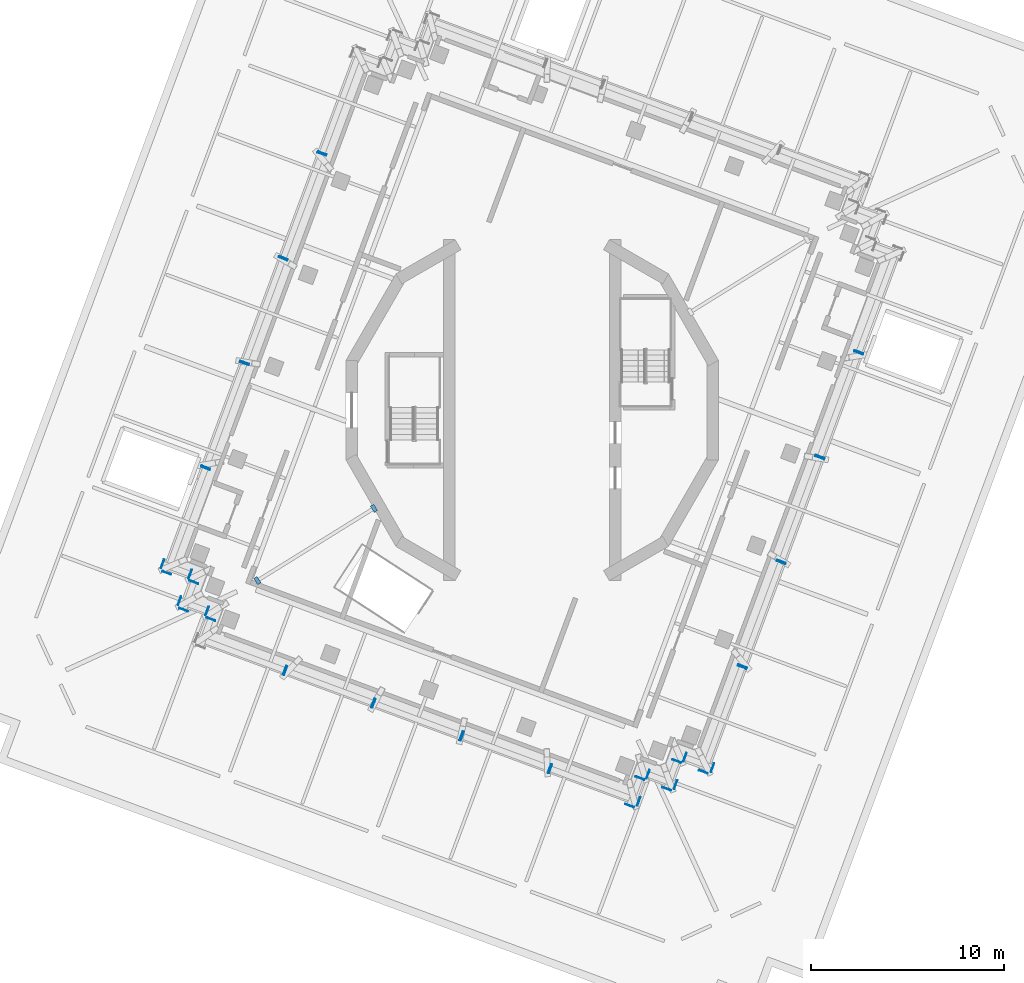
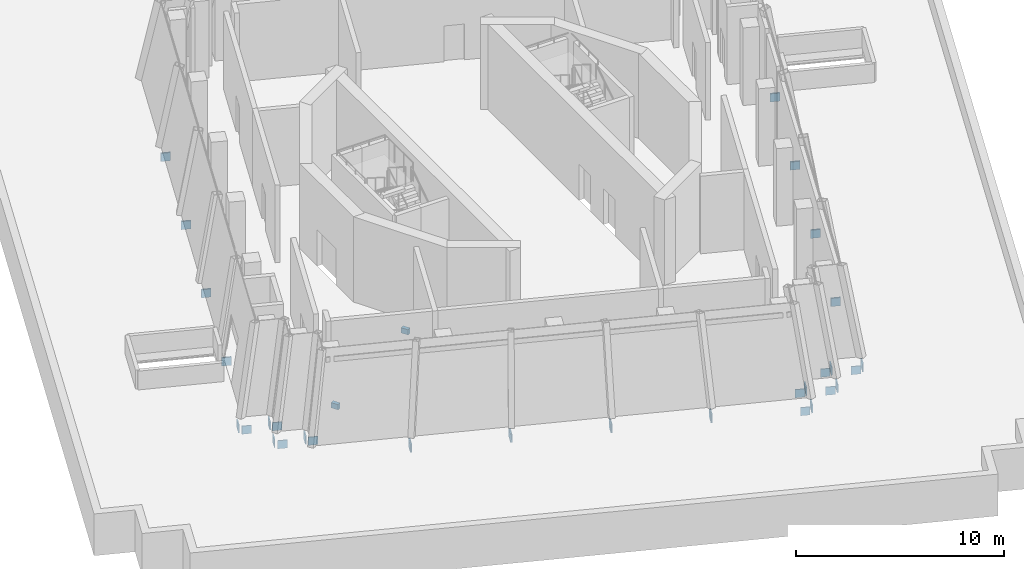
# One storey, part 8 of 12: 44 discrete accessories, 23 elements without a shape of their own.
"""IFC4 building model written with IfcOpenShell, lengths in metres."""

from ifc_helpers import new_model, si_unit, direction, frame, origin, place, context, subcontext, project, spatial, polyline, outline, extrude, material, layer, layer_set, type_object, element, aggregate, save


model = new_model("IFC4")

# Units and contexts
model_context = context("Model", 3, precision=1e-05, world=origin(), true_north=direction((0.0, 1.0)))
body_context = subcontext(model_context, "Body", "Model", "MODEL_VIEW")
ifc_project = project(units=[si_unit("LENGTHUNIT", "METRE"), si_unit("AREAUNIT", "SQUARE_METRE"), si_unit("VOLUMEUNIT", "CUBIC_METRE"), si_unit("PLANEANGLEUNIT", "RADIAN"), si_unit("MASSUNIT", "GRAM", prefix="KILO")], contexts=[model_context])

# Site, building, storey
site_placement = place(None, origin())
site = spatial("IfcSite", under=ifc_project, at=site_placement, CompositionType="ELEMENT")
building_placement = place(site_placement, origin())
building = spatial("IfcBuilding", under=site, at=building_placement, Name="Cantera Rosa Tower", CompositionType="ELEMENT")
storey_placement = place(building_placement, frame((0.0, 0.0, 345.699951171875)))
storey = spatial("IfcBuildingStorey", under=building, at=storey_placement, Name="L78", CompositionType="ELEMENT", Elevation=345.699951171875)

# Curtain wall, discrete accessory
ifc_material_1 = material(Name="Aluminium frame with clear glass", Category="aluminium")
curtain_wall_type = type_object("IfcCurtainWallType", Name="CW4 CROWN GLAZING", PredefinedType="NOTDEFINED", material=ifc_material_1)
curtain_wall_1_placement = place(storey_placement, origin())
curtain_wall_1 = element("IfcCurtainWall", 1, at=curtain_wall_1_placement, inside=storey, type_object=curtain_wall_type, Name="CW4 L78-10", PredefinedType="NOTDEFINED")
ifc_material_2 = material(Name="Steel S355J2 (EN 10025-2)", Category="steel")
ifc_layer_1 = layer(ifc_material_2, 0.030029296875)
ifc_layer_set_1 = layer_set([ifc_layer_1], Name="NODE PLATE 30")
discrete_accessory_type_1 = type_object("IfcDiscreteAccessoryType", Name="NODE PLATE 30", PredefinedType="ANCHORPLATE", material=ifc_layer_set_1)
discrete_accessory_1_placement = place(storey_placement, frame((-10.694091796875, 13.191650390625, -0.43505859375), z_axis=(-0.347330918501, -0.937742626232, 0.0), x_axis=(-0.937742626232, 0.347330918501, 0.0)))
discrete_accessory_1 = element("IfcDiscreteAccessory", 2, at=discrete_accessory_1_placement, type_object=discrete_accessory_type_1, Name="END PLATE TE1", PredefinedType="ANCHORPLATE", context=body_context, shape_type="SweptSolid", body=[
    extrude(outline(polyline([(0.0, 0.0), (0.4800840869406107, 0.0), (0.4800840869406107, 0.47998046875), (0.0, 0.47998046875), (0.0, 0.0)])), origin(), (0.0, 0.0, -1.0), 0.0400390625),
])
aggregate(curtain_wall_1, [discrete_accessory_1])

# Curtain wall, discrete accessories
curtain_wall_2_placement = place(storey_placement, origin())
curtain_wall_2 = element("IfcCurtainWall", 3, at=curtain_wall_2_placement, inside=storey, type_object=curtain_wall_type, Name="CW4 L78-11", PredefinedType="NOTDEFINED")
discrete_accessory_2_placement = place(storey_placement, frame((-11.116455078125, 13.433349609375, -0.43505859375), z_axis=(0.347330918501, 0.937742626232, 0.0), x_axis=(0.937742626232, -0.347330918501, 0.0)))
discrete_accessory_2 = element("IfcDiscreteAccessory", 4, at=discrete_accessory_2_placement, type_object=discrete_accessory_type_1, Name="END PLATE TE0", PredefinedType="ANCHORPLATE", context=body_context, shape_type="SweptSolid", body=[
    extrude(outline(polyline([(0.0, 0.0), (0.4800840869406107, 0.0), (0.4800840869406107, 0.47998046875), (0.0, 0.47998046875), (0.0, 0.0)])), origin(), (0.0, 0.0, -1.0), 0.0400390625),
])
discrete_accessory_3_placement = place(storey_placement, frame((-12.7080078125, 7.757080078125, -0.43505859375), z_axis=(-0.347496626235, -0.937681233018, 0.0), x_axis=(-0.937681233018, 0.347496626235, 0.0)))
discrete_accessory_3 = element("IfcDiscreteAccessory", 5, at=discrete_accessory_3_placement, type_object=discrete_accessory_type_1, Name="END PLATE TE1", PredefinedType="ANCHORPLATE", context=body_context, shape_type="SweptSolid", body=[
    extrude(outline(polyline([(0.0, 0.0), (0.4798551533622547, 0.0), (0.4798551533622547, 0.47998046875), (0.0, 0.47998046875), (0.0, 0.0)])), origin(), (0.0, 0.0, -1.0), 0.0400390625),
])
aggregate(curtain_wall_2, [discrete_accessory_2, discrete_accessory_3])

curtain_wall_3_placement = place(storey_placement, origin())
curtain_wall_3 = element("IfcCurtainWall", 6, at=curtain_wall_3_placement, inside=storey, type_object=curtain_wall_type, Name="CW4 L78-12", PredefinedType="NOTDEFINED")
discrete_accessory_4_placement = place(storey_placement, frame((-13.13037109375, 7.998779296875, -0.43505859375), z_axis=(0.347330918501, 0.937742626232, 0.0), x_axis=(0.937742626232, -0.347330918501, 0.0)))
discrete_accessory_4 = element("IfcDiscreteAccessory", 7, at=discrete_accessory_4_placement, type_object=discrete_accessory_type_1, Name="END PLATE TE0", PredefinedType="ANCHORPLATE", context=body_context, shape_type="SweptSolid", body=[
    extrude(outline(polyline([(0.0, 0.0), (0.4800840869406107, 0.0), (0.4800840869406107, 0.47998046875), (0.0, 0.47998046875), (0.0, 0.0)])), origin(), (0.0, 0.0, -1.0), 0.0400390625),
])
discrete_accessory_5_placement = place(storey_placement, frame((-14.721923828125, 2.322509765625, -0.43505859375), z_axis=(-0.347496626235, -0.937681233018, 0.0), x_axis=(-0.937681233018, 0.347496626235, 0.0)))
discrete_accessory_5 = element("IfcDiscreteAccessory", 8, at=discrete_accessory_5_placement, type_object=discrete_accessory_type_1, Name="END PLATE TE1", PredefinedType="ANCHORPLATE", context=body_context, shape_type="SweptSolid", body=[
    extrude(outline(polyline([(0.0, 0.0), (0.4798551533622547, 0.0), (0.4798551533622547, 0.47998046875), (0.0, 0.47998046875), (0.0, 0.0)])), origin(), (0.0, 0.0, -1.0), 0.0400390625),
])
aggregate(curtain_wall_3, [discrete_accessory_4, discrete_accessory_5])

curtain_wall_4_placement = place(storey_placement, origin())
curtain_wall_4 = element("IfcCurtainWall", 9, at=curtain_wall_4_placement, inside=storey, type_object=curtain_wall_type, Name="CW4 L78-13", PredefinedType="NOTDEFINED")
discrete_accessory_6_placement = place(storey_placement, frame((-15.144287109375, 2.564208984375, -0.43505859375), z_axis=(0.347330918501, 0.937742626232, 0.0), x_axis=(0.937742626232, -0.347330918501, 0.0)))
discrete_accessory_6 = element("IfcDiscreteAccessory", 10, at=discrete_accessory_6_placement, type_object=discrete_accessory_type_1, Name="END PLATE TE0", PredefinedType="ANCHORPLATE", context=body_context, shape_type="SweptSolid", body=[
    extrude(outline(polyline([(0.0, 0.0), (0.4800840869406107, 0.0), (0.4800840869406107, 0.47998046875), (0.0, 0.47998046875), (0.0, 0.0)])), origin(), (0.0, 0.0, -1.0), 0.0400390625),
])
discrete_accessory_7_placement = place(storey_placement, frame((-16.73583984375, -3.112060546875, -0.43505859375), z_axis=(-0.347496626235, -0.937681233018, 0.0), x_axis=(-0.937681233018, 0.347496626235, 0.0)))
discrete_accessory_7 = element("IfcDiscreteAccessory", 11, at=discrete_accessory_7_placement, type_object=discrete_accessory_type_1, Name="END PLATE TE1", PredefinedType="ANCHORPLATE", context=body_context, shape_type="SweptSolid", body=[
    extrude(outline(polyline([(0.0, 0.0), (0.4798551533622547, 0.0), (0.4798551533622547, 0.47998046875), (0.0, 0.47998046875), (0.0, 0.0)])), origin(), (0.0, 0.0, -1.0), 0.0400390625),
])
aggregate(curtain_wall_4, [discrete_accessory_6, discrete_accessory_7])

curtain_wall_5_placement = place(storey_placement, origin())
curtain_wall_5 = element("IfcCurtainWall", 12, at=curtain_wall_5_placement, inside=storey, type_object=curtain_wall_type, Name="CW4 L78-14", PredefinedType="NOTDEFINED")
discrete_accessory_8_placement = place(storey_placement, frame((-17.157958984375, -2.870361328125, -0.43505859375), z_axis=(0.347496626235, 0.937681233018, 0.0), x_axis=(0.937681233018, -0.347496626235, 0.0)))
discrete_accessory_8 = element("IfcDiscreteAccessory", 13, at=discrete_accessory_8_placement, type_object=discrete_accessory_type_1, Name="END PLATE TE0", PredefinedType="ANCHORPLATE", context=body_context, shape_type="SweptSolid", body=[
    extrude(outline(polyline([(0.0, 0.0), (0.4798551533622547, 0.0), (0.4798551533622547, 0.47998046875), (0.0, 0.47998046875), (0.0, 0.0)])), origin(), (0.0, 0.0, -1.0), 0.0400390625),
])
discrete_accessory_9_placement = place(storey_placement, frame((-18.749755859375, -8.546630859375, -0.43505859375), z_axis=(-0.347496626235, -0.937681233018, 0.0), x_axis=(-0.937681233018, 0.347496626235, 0.0)))
discrete_accessory_9 = element("IfcDiscreteAccessory", 14, at=discrete_accessory_9_placement, type_object=discrete_accessory_type_1, Name="END PLATE TE1", PredefinedType="ANCHORPLATE", context=body_context, shape_type="SweptSolid", body=[
    extrude(outline(polyline([(0.0, 0.0), (0.4798551533622547, 0.0), (0.4798551533622547, 0.47998046875), (0.0, 0.47998046875), (0.0, 0.0)])), origin(), (0.0, 0.0, -1.0), 0.0400390625),
])
aggregate(curtain_wall_5, [discrete_accessory_8, discrete_accessory_9])

curtain_wall_6_placement = place(storey_placement, origin())
curtain_wall_6 = element("IfcCurtainWall", 15, at=curtain_wall_6_placement, inside=storey, type_object=curtain_wall_type, Name="CW4 L78-15", PredefinedType="NOTDEFINED")
discrete_accessory_10_placement = place(storey_placement, frame((-19.285888671875, -8.19287109375, -0.43505859375), z_axis=(-0.937742626232, 0.347330918501, 0.0), x_axis=(0.347330918501, 0.937742626232, 0.0)))
discrete_accessory_10 = element("IfcDiscreteAccessory", 16, at=discrete_accessory_10_placement, type_object=discrete_accessory_type_1, Name="END PLATE TE0", PredefinedType="ANCHORPLATE", context=body_context, shape_type="SweptSolid", body=[
    extrude(outline(polyline([(0.0, 0.0), (0.4800840869406107, 0.0), (0.4800840869406107, 0.47998046875), (0.0, 0.47998046875), (0.0, 0.0)])), origin(), (0.0, 0.0, -1.0), 0.0400390625),
])
discrete_accessory_11_placement = place(storey_placement, frame((-17.647216796875, -8.288330078125, -0.43505859375), z_axis=(0.937681233018, -0.347496626235, 0.0), x_axis=(-0.347496626235, -0.937681233018, 0.0)))
discrete_accessory_11 = element("IfcDiscreteAccessory", 17, at=discrete_accessory_11_placement, type_object=discrete_accessory_type_1, Name="END PLATE TE1", PredefinedType="ANCHORPLATE", context=body_context, shape_type="SweptSolid", body=[
    extrude(outline(polyline([(0.0, 0.0), (0.4798551533622547, 0.0), (0.4798551533622547, 0.47998046875), (0.0, 0.47998046875), (0.0, 0.0)])), origin(), (0.0, 0.0, -1.0), 0.0400390625),
])
aggregate(curtain_wall_6, [discrete_accessory_10, discrete_accessory_11])

curtain_wall_7_placement = place(storey_placement, origin())
curtain_wall_7 = element("IfcCurtainWall", 18, at=curtain_wall_7_placement, inside=storey, type_object=curtain_wall_type, Name="CW4 L78-16", PredefinedType="NOTDEFINED")
discrete_accessory_12_placement = place(storey_placement, frame((-17.775146484375, -8.823486328125, -0.43505859375), z_axis=(0.347496626235, 0.937681233018, 0.0), x_axis=(0.937681233018, -0.347496626235, 0.0)))
discrete_accessory_12 = element("IfcDiscreteAccessory", 19, at=discrete_accessory_12_placement, type_object=discrete_accessory_type_1, Name="END PLATE TE0", PredefinedType="ANCHORPLATE", context=body_context, shape_type="SweptSolid", body=[
    extrude(outline(polyline([(0.0, 0.0), (0.4798551533622547, 0.0), (0.4798551533622547, 0.47998046875), (0.0, 0.47998046875), (0.0, 0.0)])), origin(), (0.0, 0.0, -1.0), 0.0400390625),
])
discrete_accessory_13_placement = place(storey_placement, frame((-17.87060546875, -10.46240234375, -0.43505859375), z_axis=(-0.347777987911, -0.937576914778, 0.0), x_axis=(-0.937576914778, 0.347777987911, 0.0)))
discrete_accessory_13 = element("IfcDiscreteAccessory", 20, at=discrete_accessory_13_placement, type_object=discrete_accessory_type_1, Name="END PLATE TE1", PredefinedType="ANCHORPLATE", context=body_context, shape_type="SweptSolid", body=[
    extrude(outline(polyline([(0.0, 0.0), (0.4801689391068604, 0.0), (0.4801689391068604, 0.47998046875), (0.0, 0.47998046875), (0.0, 0.0)])), origin(), (0.0, 0.0, -1.0), 0.0400390625),
])
aggregate(curtain_wall_7, [discrete_accessory_12, discrete_accessory_13])

curtain_wall_8_placement = place(storey_placement, origin())
curtain_wall_8 = element("IfcCurtainWall", 21, at=curtain_wall_8_placement, inside=storey, type_object=curtain_wall_type, Name="CW4 L78-17", PredefinedType="NOTDEFINED")
discrete_accessory_14_placement = place(storey_placement, frame((-18.40576171875, -10.10791015625, -0.43505859375), z_axis=(-0.937742626232, 0.347330918501, 0.0), x_axis=(0.347330918501, 0.937742626232, 0.0)))
discrete_accessory_14 = element("IfcDiscreteAccessory", 22, at=discrete_accessory_14_placement, type_object=discrete_accessory_type_1, Name="END PLATE TE0", PredefinedType="ANCHORPLATE", context=body_context, shape_type="SweptSolid", body=[
    extrude(outline(polyline([(0.0, 0.0), (0.4800840869406107, 0.0), (0.4800840869406107, 0.47998046875), (0.0, 0.47998046875), (0.0, 0.0)])), origin(), (0.0, 0.0, -1.0), 0.0400390625),
])
discrete_accessory_15_placement = place(storey_placement, frame((-16.76708984375, -10.203369140625, -0.43505859375), z_axis=(0.937681233018, -0.347496626235, 0.0), x_axis=(-0.347496626235, -0.937681233018, 0.0)))
discrete_accessory_15 = element("IfcDiscreteAccessory", 23, at=discrete_accessory_15_placement, type_object=discrete_accessory_type_1, Name="END PLATE TE1", PredefinedType="ANCHORPLATE", context=body_context, shape_type="SweptSolid", body=[
    extrude(outline(polyline([(0.0, 0.0), (0.4798551533622547, 0.0), (0.4798551533622547, 0.47998046875), (0.0, 0.47998046875), (0.0, 0.0)])), origin(), (0.0, 0.0, -1.0), 0.0400390625),
])
aggregate(curtain_wall_8, [discrete_accessory_14, discrete_accessory_15])

# Curtain wall, discrete accessory
curtain_wall_9_placement = place(storey_placement, origin())
curtain_wall_9 = element("IfcCurtainWall", 24, at=curtain_wall_9_placement, inside=storey, type_object=curtain_wall_type, Name="CW4 L78-18", PredefinedType="NOTDEFINED")
discrete_accessory_16_placement = place(storey_placement, frame((-16.89599609375, -10.7392578125, -0.43505859375), z_axis=(0.347496626235, 0.937681233018, 0.0), x_axis=(0.937681233018, -0.347496626235, 0.0)))
discrete_accessory_16 = element("IfcDiscreteAccessory", 25, at=discrete_accessory_16_placement, type_object=discrete_accessory_type_1, Name="END PLATE TE0", PredefinedType="ANCHORPLATE", context=body_context, shape_type="SweptSolid", body=[
    extrude(outline(polyline([(0.0, 0.0), (0.4798551533622547, 0.0), (0.4798551533622547, 0.47998046875), (0.0, 0.47998046875), (0.0, 0.0)])), origin(), (0.0, 0.0, -1.0), 0.0400390625),
])
aggregate(curtain_wall_9, [discrete_accessory_16])

curtain_wall_10_placement = place(storey_placement, origin())
curtain_wall_10 = element("IfcCurtainWall", 26, at=curtain_wall_10_placement, inside=storey, type_object=curtain_wall_type, Name="CW4 L78-19", PredefinedType="NOTDEFINED")
discrete_accessory_17_placement = place(storey_placement, frame((-12.7021484375, -13.29833984375, -0.43505859375), z_axis=(0.937742626232, -0.347330918501, 0.0), x_axis=(-0.347330918501, -0.937742626232, 0.0)))
discrete_accessory_17 = element("IfcDiscreteAccessory", 27, at=discrete_accessory_17_placement, type_object=discrete_accessory_type_1, Name="END PLATE TE1", PredefinedType="ANCHORPLATE", context=body_context, shape_type="SweptSolid", body=[
    extrude(outline(polyline([(0.0, 0.0), (0.4800840869406107, 0.0), (0.4800840869406107, 0.47998046875), (0.0, 0.47998046875), (0.0, 0.0)])), origin(), (0.0, 0.0, -1.0), 0.0400390625),
])
aggregate(curtain_wall_10, [discrete_accessory_17])

# Curtain wall, discrete accessories
curtain_wall_11_placement = place(storey_placement, origin())
curtain_wall_11 = element("IfcCurtainWall", 28, at=curtain_wall_11_placement, inside=storey, type_object=curtain_wall_type, Name="CW4 L78-20", PredefinedType="NOTDEFINED")
discrete_accessory_18_placement = place(storey_placement, frame((-12.94384765625, -13.720703125, -0.43505859375), z_axis=(-0.937681233018, 0.347496626235, 0.0), x_axis=(0.347496626235, 0.937681233018, 0.0)))
discrete_accessory_18 = element("IfcDiscreteAccessory", 29, at=discrete_accessory_18_placement, type_object=discrete_accessory_type_1, Name="END PLATE TE0", PredefinedType="ANCHORPLATE", context=body_context, shape_type="SweptSolid", body=[
    extrude(outline(polyline([(0.0, 0.0), (0.4798551533622547, 0.0), (0.4798551533622547, 0.47998046875), (0.0, 0.47998046875), (0.0, 0.0)])), origin(), (0.0, 0.0, -1.0), 0.0400390625),
])
discrete_accessory_19_placement = place(storey_placement, frame((-8.1201171875, -14.996337890625, -0.43505859375), z_axis=(0.937742626232, -0.347330918501, 0.0), x_axis=(-0.347330918501, -0.937742626232, 0.0)))
discrete_accessory_19 = element("IfcDiscreteAccessory", 30, at=discrete_accessory_19_placement, type_object=discrete_accessory_type_1, Name="END PLATE TE1", PredefinedType="ANCHORPLATE", context=body_context, shape_type="SweptSolid", body=[
    extrude(outline(polyline([(0.0, 0.0), (0.4800840869406107, 0.0), (0.4800840869406107, 0.47998046875), (0.0, 0.47998046875), (0.0, 0.0)])), origin(), (0.0, 0.0, -1.0), 0.0400390625),
])
aggregate(curtain_wall_11, [discrete_accessory_18, discrete_accessory_19])

curtain_wall_12_placement = place(storey_placement, origin())
curtain_wall_12 = element("IfcCurtainWall", 31, at=curtain_wall_12_placement, inside=storey, type_object=curtain_wall_type, Name="CW4 L78-21", PredefinedType="NOTDEFINED")
discrete_accessory_20_placement = place(storey_placement, frame((-8.362060546875, -15.418701171875, -0.43505859375), z_axis=(-0.937576914778, 0.347777987911, 0.0), x_axis=(0.347777987911, 0.937576914778, 0.0)))
discrete_accessory_20 = element("IfcDiscreteAccessory", 32, at=discrete_accessory_20_placement, type_object=discrete_accessory_type_1, Name="END PLATE TE0", PredefinedType="ANCHORPLATE", context=body_context, shape_type="SweptSolid", body=[
    extrude(outline(polyline([(0.0, 0.0), (0.4801689391068604, 0.0), (0.4801689391068604, 0.47998046875), (0.0, 0.47998046875), (0.0, 0.0)])), origin(), (0.0, 0.0, -1.0), 0.0400390625),
])
discrete_accessory_21_placement = place(storey_placement, frame((-3.538330078125, -16.6943359375, -0.43505859375), z_axis=(0.937742626232, -0.347330918501, 0.0), x_axis=(-0.347330918501, -0.937742626232, 0.0)))
discrete_accessory_21 = element("IfcDiscreteAccessory", 33, at=discrete_accessory_21_placement, type_object=discrete_accessory_type_1, Name="END PLATE TE1", PredefinedType="ANCHORPLATE", context=body_context, shape_type="SweptSolid", body=[
    extrude(outline(polyline([(0.0, 0.0), (0.4800840869406107, 0.0), (0.4800840869406107, 0.47998046875), (0.0, 0.47998046875), (0.0, 0.0)])), origin(), (0.0, 0.0, -1.0), 0.0400390625),
])
aggregate(curtain_wall_12, [discrete_accessory_20, discrete_accessory_21])

curtain_wall_13_placement = place(storey_placement, origin())
curtain_wall_13 = element("IfcCurtainWall", 34, at=curtain_wall_13_placement, inside=storey, type_object=curtain_wall_type, Name="CW4 L78-22", PredefinedType="NOTDEFINED")
discrete_accessory_22_placement = place(storey_placement, frame((-3.780029296875, -17.11669921875, -0.43505859375), z_axis=(-0.937742626232, 0.347330918501, 0.0), x_axis=(0.347330918501, 0.937742626232, 0.0)))
discrete_accessory_22 = element("IfcDiscreteAccessory", 35, at=discrete_accessory_22_placement, type_object=discrete_accessory_type_1, Name="END PLATE TE0", PredefinedType="ANCHORPLATE", context=body_context, shape_type="SweptSolid", body=[
    extrude(outline(polyline([(0.0, 0.0), (0.4800840869406107, 0.0), (0.4800840869406107, 0.47998046875), (0.0, 0.47998046875), (0.0, 0.0)])), origin(), (0.0, 0.0, -1.0), 0.0400390625),
])
discrete_accessory_23_placement = place(storey_placement, frame((1.043701171875, -18.392333984375, -0.43505859375), z_axis=(0.937681233018, -0.347496626235, 0.0), x_axis=(-0.347496626235, -0.937681233018, 0.0)))
discrete_accessory_23 = element("IfcDiscreteAccessory", 36, at=discrete_accessory_23_placement, type_object=discrete_accessory_type_1, Name="END PLATE TE1", PredefinedType="ANCHORPLATE", context=body_context, shape_type="SweptSolid", body=[
    extrude(outline(polyline([(0.0, 0.0), (0.4798551533622547, 0.0), (0.4798551533622547, 0.47998046875), (0.0, 0.47998046875), (0.0, 0.0)])), origin(), (0.0, 0.0, -1.0), 0.0400390625),
])
aggregate(curtain_wall_13, [discrete_accessory_22, discrete_accessory_23])

curtain_wall_14_placement = place(storey_placement, origin())
curtain_wall_14 = element("IfcCurtainWall", 37, at=curtain_wall_14_placement, inside=storey, type_object=curtain_wall_type, Name="CW4 L78-23", PredefinedType="NOTDEFINED")
discrete_accessory_24_placement = place(storey_placement, frame((0.802001953125, -18.814453125, -0.43505859375), z_axis=(-0.937681233018, 0.347496626235, 0.0), x_axis=(0.347496626235, 0.937681233018, 0.0)))
discrete_accessory_24 = element("IfcDiscreteAccessory", 38, at=discrete_accessory_24_placement, type_object=discrete_accessory_type_1, Name="END PLATE TE0", PredefinedType="ANCHORPLATE", context=body_context, shape_type="SweptSolid", body=[
    extrude(outline(polyline([(0.0, 0.0), (0.4798551533622547, 0.0), (0.4798551533622547, 0.47998046875), (0.0, 0.47998046875), (0.0, 0.0)])), origin(), (0.0, 0.0, -1.0), 0.0400390625),
])
discrete_accessory_25_placement = place(storey_placement, frame((5.625732421875, -20.09033203125, -0.43505859375), z_axis=(0.937681233018, -0.347496626235, 0.0), x_axis=(-0.347496626235, -0.937681233018, 0.0)))
discrete_accessory_25 = element("IfcDiscreteAccessory", 39, at=discrete_accessory_25_placement, type_object=discrete_accessory_type_1, Name="END PLATE TE1", PredefinedType="ANCHORPLATE", context=body_context, shape_type="SweptSolid", body=[
    extrude(outline(polyline([(0.0, 0.0), (0.4798551533622547, 0.0), (0.4798551533622547, 0.47998046875), (0.0, 0.47998046875), (0.0, 0.0)])), origin(), (0.0, 0.0, -1.0), 0.0400390625),
])
aggregate(curtain_wall_14, [discrete_accessory_24, discrete_accessory_25])

curtain_wall_15_placement = place(storey_placement, origin())
curtain_wall_15 = element("IfcCurtainWall", 40, at=curtain_wall_15_placement, inside=storey, type_object=curtain_wall_type, Name="CW4 L78-24", PredefinedType="NOTDEFINED")
discrete_accessory_26_placement = place(storey_placement, frame((5.27197265625, -20.62841796875, -0.43505859375), z_axis=(-0.347496626235, -0.937681233018, 0.0), x_axis=(-0.937681233018, 0.347496626235, 0.0)))
discrete_accessory_26 = element("IfcDiscreteAccessory", 41, at=discrete_accessory_26_placement, type_object=discrete_accessory_type_1, Name="END PLATE TE0", PredefinedType="ANCHORPLATE", context=body_context, shape_type="SweptSolid", body=[
    extrude(outline(polyline([(0.0, 0.0), (0.4798551533622547, 0.0), (0.4798551533622547, 0.47998046875), (0.0, 0.47998046875), (0.0, 0.0)])), origin(), (0.0, 0.0, -1.0), 0.0400390625),
])
discrete_accessory_27_placement = place(storey_placement, frame((5.36767578125, -18.989501953125, -0.43505859375), z_axis=(0.347496626235, 0.937681233018, 0.0), x_axis=(0.937681233018, -0.347496626235, 0.0)))
discrete_accessory_27 = element("IfcDiscreteAccessory", 42, at=discrete_accessory_27_placement, type_object=discrete_accessory_type_1, Name="END PLATE TE1", PredefinedType="ANCHORPLATE", context=body_context, shape_type="SweptSolid", body=[
    extrude(outline(polyline([(0.0, 0.0), (0.4798551533622547, 0.0), (0.4798551533622547, 0.47998046875), (0.0, 0.47998046875), (0.0, 0.0)])), origin(), (0.0, 0.0, -1.0), 0.0400390625),
])
aggregate(curtain_wall_15, [discrete_accessory_26, discrete_accessory_27])

curtain_wall_16_placement = place(storey_placement, origin())
curtain_wall_16 = element("IfcCurtainWall", 43, at=curtain_wall_16_placement, inside=storey, type_object=curtain_wall_type, Name="CW4 L78-25", PredefinedType="NOTDEFINED")
discrete_accessory_28_placement = place(storey_placement, frame((5.902099609375, -19.11572265625, -0.43505859375), z_axis=(-0.93751537431, 0.347943850259, 0.0), x_axis=(0.347943850259, 0.93751537431, 0.0)))
discrete_accessory_28 = element("IfcDiscreteAccessory", 44, at=discrete_accessory_28_placement, type_object=discrete_accessory_type_1, Name="END PLATE TE0", PredefinedType="ANCHORPLATE", context=body_context, shape_type="SweptSolid", body=[
    extrude(outline(polyline([(0.0, 0.0), (0.47994004600337425, 0.0), (0.47994004600337425, 0.47998046875), (0.0, 0.47998046875), (0.0, 0.0)])), origin(), (0.0, 0.0, -1.0), 0.0400390625),
])
discrete_accessory_29_placement = place(storey_placement, frame((7.541015625, -19.211181640625, -0.43505859375), z_axis=(0.937742626232, -0.347330918501, 0.0), x_axis=(-0.347330918501, -0.937742626232, 0.0)))
discrete_accessory_29 = element("IfcDiscreteAccessory", 45, at=discrete_accessory_29_placement, type_object=discrete_accessory_type_1, Name="END PLATE TE1", PredefinedType="ANCHORPLATE", context=body_context, shape_type="SweptSolid", body=[
    extrude(outline(polyline([(0.0, 0.0), (0.4800840869406107, 0.0), (0.4800840869406107, 0.47998046875), (0.0, 0.47998046875), (0.0, 0.0)])), origin(), (0.0, 0.0, -1.0), 0.0400390625),
])
aggregate(curtain_wall_16, [discrete_accessory_28, discrete_accessory_29])

curtain_wall_17_placement = place(storey_placement, origin())
curtain_wall_17 = element("IfcCurtainWall", 46, at=curtain_wall_17_placement, inside=storey, type_object=curtain_wall_type, Name="CW4 L78-26", PredefinedType="NOTDEFINED")
discrete_accessory_30_placement = place(storey_placement, frame((7.187255859375, -19.748046875, -0.43505859375), z_axis=(-0.347496626235, -0.937681233018, 0.0), x_axis=(-0.937681233018, 0.347496626235, 0.0)))
discrete_accessory_30 = element("IfcDiscreteAccessory", 47, at=discrete_accessory_30_placement, type_object=discrete_accessory_type_1, Name="END PLATE TE0", PredefinedType="ANCHORPLATE", context=body_context, shape_type="SweptSolid", body=[
    extrude(outline(polyline([(0.0, 0.0), (0.4798551533622547, 0.0), (0.4798551533622547, 0.47998046875), (0.0, 0.47998046875), (0.0, 0.0)])), origin(), (0.0, 0.0, -1.0), 0.0400390625),
])
discrete_accessory_31_placement = place(storey_placement, frame((7.28271484375, -18.109130859375, -0.43505859375), z_axis=(0.347330918501, 0.937742626232, 0.0), x_axis=(0.937742626232, -0.347330918501, 0.0)))
discrete_accessory_31 = element("IfcDiscreteAccessory", 48, at=discrete_accessory_31_placement, type_object=discrete_accessory_type_1, Name="END PLATE TE1", PredefinedType="ANCHORPLATE", context=body_context, shape_type="SweptSolid", body=[
    extrude(outline(polyline([(0.0, 0.0), (0.4800840869406107, 0.0), (0.4800840869406107, 0.47998046875), (0.0, 0.47998046875), (0.0, 0.0)])), origin(), (0.0, 0.0, -1.0), 0.0400390625),
])
aggregate(curtain_wall_17, [discrete_accessory_30, discrete_accessory_31])

curtain_wall_18_placement = place(storey_placement, origin())
curtain_wall_18 = element("IfcCurtainWall", 49, at=curtain_wall_18_placement, inside=storey, type_object=curtain_wall_type, Name="CW4 L78-27", PredefinedType="NOTDEFINED")
discrete_accessory_32_placement = place(storey_placement, frame((7.817626953125, -18.23681640625, -0.43505859375), z_axis=(-0.937742626232, 0.347330918501, 0.0), x_axis=(0.347330918501, 0.937742626232, 0.0)))
discrete_accessory_32 = element("IfcDiscreteAccessory", 50, at=discrete_accessory_32_placement, type_object=discrete_accessory_type_1, Name="END PLATE TE0", PredefinedType="ANCHORPLATE", context=body_context, shape_type="SweptSolid", body=[
    extrude(outline(polyline([(0.0, 0.0), (0.4800840869406107, 0.0), (0.4800840869406107, 0.47998046875), (0.0, 0.47998046875), (0.0, 0.0)])), origin(), (0.0, 0.0, -1.0), 0.0400390625),
])
discrete_accessory_33_placement = place(storey_placement, frame((9.45654296875, -18.33203125, -0.43505859375), z_axis=(0.937742626232, -0.347330918501, 0.0), x_axis=(-0.347330918501, -0.937742626232, 0.0)))
discrete_accessory_33 = element("IfcDiscreteAccessory", 51, at=discrete_accessory_33_placement, type_object=discrete_accessory_type_1, Name="END PLATE TE1", PredefinedType="ANCHORPLATE", context=body_context, shape_type="SweptSolid", body=[
    extrude(outline(polyline([(0.0, 0.0), (0.4800840869406107, 0.0), (0.4800840869406107, 0.47998046875), (0.0, 0.47998046875), (0.0, 0.0)])), origin(), (0.0, 0.0, -1.0), 0.0400390625),
])
aggregate(curtain_wall_18, [discrete_accessory_32, discrete_accessory_33])

curtain_wall_19_placement = place(storey_placement, origin())
curtain_wall_19 = element("IfcCurtainWall", 52, at=curtain_wall_19_placement, inside=storey, type_object=curtain_wall_type, Name="CW4 L78-28", PredefinedType="NOTDEFINED")
discrete_accessory_34_placement = place(storey_placement, frame((9.1025390625, -18.867919921875, -0.43505859375), z_axis=(-0.347330918501, -0.937742626232, 0.0), x_axis=(-0.937742626232, 0.347330918501, 0.0)))
discrete_accessory_34 = element("IfcDiscreteAccessory", 53, at=discrete_accessory_34_placement, type_object=discrete_accessory_type_1, Name="END PLATE TE0", PredefinedType="ANCHORPLATE", context=body_context, shape_type="SweptSolid", body=[
    extrude(outline(polyline([(0.0, 0.0), (0.4800840869406107, 0.0), (0.4800840869406107, 0.47998046875), (0.0, 0.47998046875), (0.0, 0.0)])), origin(), (0.0, 0.0, -1.0), 0.0400390625),
])
discrete_accessory_35_placement = place(storey_placement, frame((10.694091796875, -13.191650390625, -0.43505859375), z_axis=(0.347330918501, 0.937742626232, 0.0), x_axis=(0.937742626232, -0.347330918501, 0.0)))
discrete_accessory_35 = element("IfcDiscreteAccessory", 54, at=discrete_accessory_35_placement, type_object=discrete_accessory_type_1, Name="END PLATE TE1", PredefinedType="ANCHORPLATE", context=body_context, shape_type="SweptSolid", body=[
    extrude(outline(polyline([(0.0, 0.0), (0.4800840869406107, 0.0), (0.4800840869406107, 0.47998046875), (0.0, 0.47998046875), (0.0, 0.0)])), origin(), (0.0, 0.0, -1.0), 0.0400390625),
])
aggregate(curtain_wall_19, [discrete_accessory_34, discrete_accessory_35])

curtain_wall_20_placement = place(storey_placement, origin())
curtain_wall_20 = element("IfcCurtainWall", 55, at=curtain_wall_20_placement, inside=storey, type_object=curtain_wall_type, Name="CW4 L78-29", PredefinedType="NOTDEFINED")
discrete_accessory_36_placement = place(storey_placement, frame((11.116455078125, -13.433349609375, -0.43505859375), z_axis=(-0.347330918501, -0.937742626232, 0.0), x_axis=(-0.937742626232, 0.347330918501, 0.0)))
discrete_accessory_36 = element("IfcDiscreteAccessory", 56, at=discrete_accessory_36_placement, type_object=discrete_accessory_type_1, Name="END PLATE TE0", PredefinedType="ANCHORPLATE", context=body_context, shape_type="SweptSolid", body=[
    extrude(outline(polyline([(0.0, 0.0), (0.4800840869406107, 0.0), (0.4800840869406107, 0.47998046875), (0.0, 0.47998046875), (0.0, 0.0)])), origin(), (0.0, 0.0, -1.0), 0.0400390625),
])
discrete_accessory_37_placement = place(storey_placement, frame((12.7080078125, -7.757080078125, -0.43505859375), z_axis=(0.347496626235, 0.937681233018, 0.0), x_axis=(0.937681233018, -0.347496626235, 0.0)))
discrete_accessory_37 = element("IfcDiscreteAccessory", 57, at=discrete_accessory_37_placement, type_object=discrete_accessory_type_1, Name="END PLATE TE1", PredefinedType="ANCHORPLATE", context=body_context, shape_type="SweptSolid", body=[
    extrude(outline(polyline([(0.0, 0.0), (0.4798551533622547, 0.0), (0.4798551533622547, 0.47998046875), (0.0, 0.47998046875), (0.0, 0.0)])), origin(), (0.0, 0.0, -1.0), 0.0400390625),
])
aggregate(curtain_wall_20, [discrete_accessory_36, discrete_accessory_37])

curtain_wall_21_placement = place(storey_placement, origin())
curtain_wall_21 = element("IfcCurtainWall", 58, at=curtain_wall_21_placement, inside=storey, type_object=curtain_wall_type, Name="CW4 L78-30", PredefinedType="NOTDEFINED")
discrete_accessory_38_placement = place(storey_placement, frame((13.13037109375, -7.998779296875, -0.43505859375), z_axis=(-0.347330918501, -0.937742626232, 0.0), x_axis=(-0.937742626232, 0.347330918501, 0.0)))
discrete_accessory_38 = element("IfcDiscreteAccessory", 59, at=discrete_accessory_38_placement, type_object=discrete_accessory_type_1, Name="END PLATE TE0", PredefinedType="ANCHORPLATE", context=body_context, shape_type="SweptSolid", body=[
    extrude(outline(polyline([(0.0, 0.0), (0.4800840869406107, 0.0), (0.4800840869406107, 0.47998046875), (0.0, 0.47998046875), (0.0, 0.0)])), origin(), (0.0, 0.0, -1.0), 0.0400390625),
])
discrete_accessory_39_placement = place(storey_placement, frame((14.721923828125, -2.322509765625, -0.43505859375), z_axis=(0.347496626235, 0.937681233018, 0.0), x_axis=(0.937681233018, -0.347496626235, 0.0)))
discrete_accessory_39 = element("IfcDiscreteAccessory", 60, at=discrete_accessory_39_placement, type_object=discrete_accessory_type_1, Name="END PLATE TE1", PredefinedType="ANCHORPLATE", context=body_context, shape_type="SweptSolid", body=[
    extrude(outline(polyline([(0.0, 0.0), (0.4798551533622547, 0.0), (0.4798551533622547, 0.47998046875), (0.0, 0.47998046875), (0.0, 0.0)])), origin(), (0.0, 0.0, -1.0), 0.0400390625),
])
aggregate(curtain_wall_21, [discrete_accessory_38, discrete_accessory_39])

curtain_wall_22_placement = place(storey_placement, origin())
curtain_wall_22 = element("IfcCurtainWall", 61, at=curtain_wall_22_placement, inside=storey, type_object=curtain_wall_type, Name="CW4 L78-31", PredefinedType="NOTDEFINED")
discrete_accessory_40_placement = place(storey_placement, frame((15.144287109375, -2.564208984375, -0.43505859375), z_axis=(-0.347330918501, -0.937742626232, 0.0), x_axis=(-0.937742626232, 0.347330918501, 0.0)))
discrete_accessory_40 = element("IfcDiscreteAccessory", 62, at=discrete_accessory_40_placement, type_object=discrete_accessory_type_1, Name="END PLATE TE0", PredefinedType="ANCHORPLATE", context=body_context, shape_type="SweptSolid", body=[
    extrude(outline(polyline([(0.0, 0.0), (0.4800840869406107, 0.0), (0.4800840869406107, 0.47998046875), (0.0, 0.47998046875), (0.0, 0.0)])), origin(), (0.0, 0.0, -1.0), 0.0400390625),
])
discrete_accessory_41_placement = place(storey_placement, frame((16.73583984375, 3.112060546875, -0.43505859375), z_axis=(0.347496626235, 0.937681233018, 0.0), x_axis=(0.937681233018, -0.347496626235, 0.0)))
discrete_accessory_41 = element("IfcDiscreteAccessory", 63, at=discrete_accessory_41_placement, type_object=discrete_accessory_type_1, Name="END PLATE TE1", PredefinedType="ANCHORPLATE", context=body_context, shape_type="SweptSolid", body=[
    extrude(outline(polyline([(0.0, 0.0), (0.4798551533622547, 0.0), (0.4798551533622547, 0.47998046875), (0.0, 0.47998046875), (0.0, 0.0)])), origin(), (0.0, 0.0, -1.0), 0.0400390625),
])
aggregate(curtain_wall_22, [discrete_accessory_40, discrete_accessory_41])

# Curtain wall, discrete accessory
curtain_wall_23_placement = place(storey_placement, origin())
curtain_wall_23 = element("IfcCurtainWall", 64, at=curtain_wall_23_placement, inside=storey, type_object=curtain_wall_type, Name="CW4 L78-32", PredefinedType="NOTDEFINED")
discrete_accessory_42_placement = place(storey_placement, frame((17.157958984375, 2.870361328125, -0.43505859375), z_axis=(-0.347496626235, -0.937681233018, 0.0), x_axis=(-0.937681233018, 0.347496626235, 0.0)))
discrete_accessory_42 = element("IfcDiscreteAccessory", 65, at=discrete_accessory_42_placement, type_object=discrete_accessory_type_1, Name="END PLATE TE0", PredefinedType="ANCHORPLATE", context=body_context, shape_type="SweptSolid", body=[
    extrude(outline(polyline([(0.0, 0.0), (0.4798551533622547, 0.0), (0.4798551533622547, 0.47998046875), (0.0, 0.47998046875), (0.0, 0.0)])), origin(), (0.0, 0.0, -1.0), 0.0400390625),
])
aggregate(curtain_wall_23, [discrete_accessory_42])

# Discrete accessories
ifc_material_3 = material(Name="Steel ASTM A992 (Fy 345 MPa)", Category="steel")
ifc_layer_2 = layer(ifc_material_3, 0.0400390625)
ifc_layer_set_2 = layer_set([ifc_layer_2], Name="STEEL BEARING PLATE 40")
discrete_accessory_type_2 = type_object("IfcDiscreteAccessoryType", Name="STEEL BEARING PLATE 40", PredefinedType="ANCHORPLATE", material=ifc_layer_set_2)
discrete_accessory_43_placement = place(storey_placement, frame((0.0, 0.0, -0.805908203125)))
element("IfcDiscreteAccessory", 66, at=discrete_accessory_43_placement, inside=storey, type_object=discrete_accessory_type_2, Name="BEARING PLATE PG-Z6-01 end 1 L78", PredefinedType="ANCHORPLATE", context=body_context, shape_type="SweptSolid", body=[
    extrude(outline(polyline([(-14.277099609375, -8.6318359375), (-14.447021484375, -8.7373046875), (-14.247802734375, -9.05859375), (-14.077880859375, -8.953125), (-14.277099609375, -8.6318359375)])), origin(), (0.0, 0.0, 1.0), 0.305908203125),
])
discrete_accessory_44_placement = place(storey_placement, frame((0.0, 0.0, -0.805908203125)))
element("IfcDiscreteAccessory", 67, at=discrete_accessory_44_placement, inside=storey, type_object=discrete_accessory_type_2, Name="BEARING PLATE PG-Z6-01 end 2 L78", PredefinedType="ANCHORPLATE", context=body_context, shape_type="SweptSolid", body=[
    extrude(outline(polyline([(-8.1982421875, -5.306640625), (-8.0283203125, -5.201416015625), (-8.2275390625, -4.880126953125), (-8.3974609375, -4.985595703125), (-8.1982421875, -5.306640625)])), origin(), (0.0, 0.0, 1.0), 0.305908203125),
])

save(model, "model.ifc")
